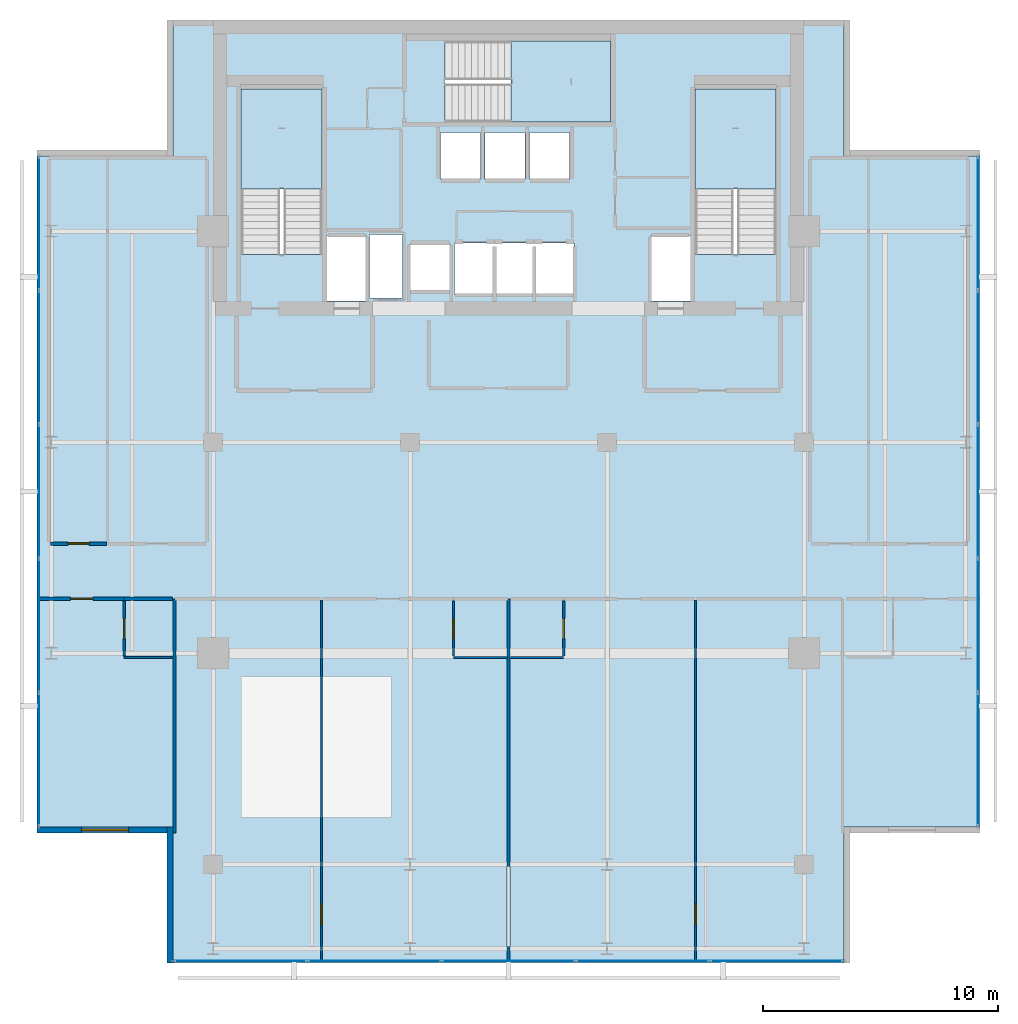
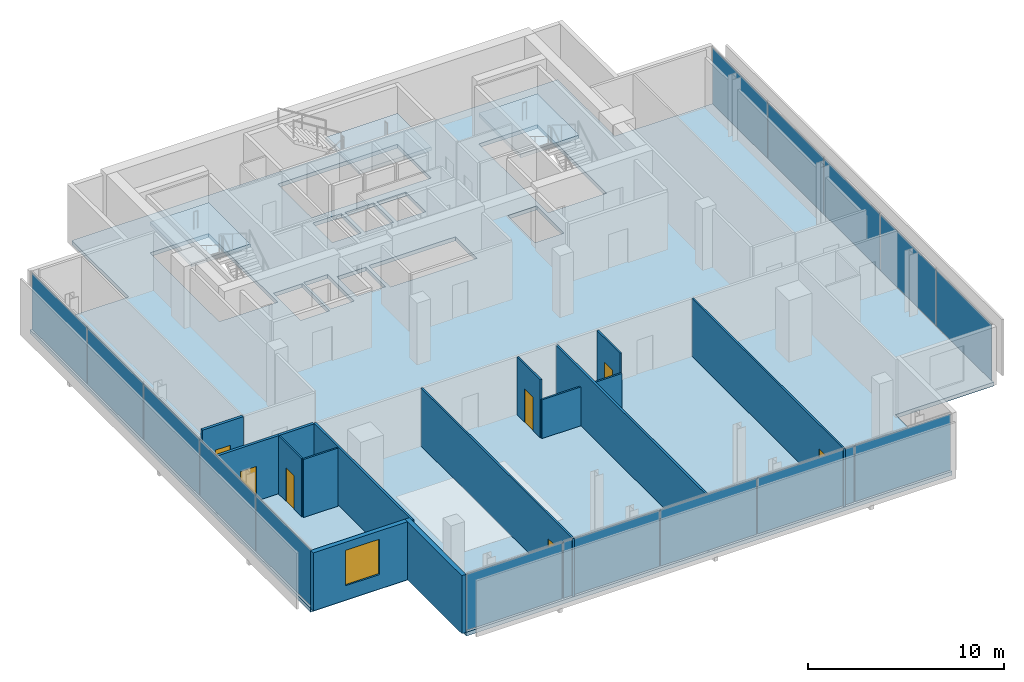
# One storey, part 16 of 23: 15 plates, 15 walls, 7 doors, 4 slabs, 1 window, 8 openings, 6 elements without a shape of their own.
"""IFC4 building model written with IfcOpenShell, lengths in metres."""

from ifc_helpers import new_model, si_unit, direction, frame, frame_2d, origin, origin_2d, place, context, subcontext, project, spatial, polyline, rectangle, outline, extrude, material, layer, layer_set, type_object, element, fill, aggregate, save


model = new_model("IFC4")

# Units and contexts
model_context = context("Model", 3, precision=1e-05, world=origin(), true_north=direction((0.0, 1.0)))
body_context = subcontext(model_context, "Body", "Model", "MODEL_VIEW")
ifc_project = project(units=[si_unit("LENGTHUNIT", "METRE"), si_unit("AREAUNIT", "SQUARE_METRE"), si_unit("VOLUMEUNIT", "CUBIC_METRE"), si_unit("PLANEANGLEUNIT", "RADIAN"), si_unit("MASSUNIT", "GRAM", prefix="KILO")], contexts=[model_context])

# Site, building, storey
site_placement = place(None, origin())
site = spatial("IfcSite", under=ifc_project, at=site_placement, CompositionType="ELEMENT")
building_placement = place(site_placement, origin())
building = spatial("IfcBuilding", under=site, at=building_placement, Name="Maruvema Waterfront Hotel and Observation Tower", CompositionType="ELEMENT")
storey_placement = place(building_placement, frame((0.0, 0.0, 341.25)))
storey = spatial("IfcBuildingStorey", under=building, at=storey_placement, Name="L84", CompositionType="ELEMENT", Elevation=341.25)

# Slab
ifc_material_1 = material(Name="Concrete C50/60", Category="concrete")
ifc_layer_1 = layer(ifc_material_1, 0.239990234375, Name="Reinforced Concrete Floor Slab 240 mm")
ifc_layer_set_1 = layer_set([ifc_layer_1], Name="Concrete C50/60")
slab_type_1 = type_object("IfcSlabType", Name="Reinforced Concrete Floor Slab 240 mm", PredefinedType="FLOOR", material=ifc_layer_set_1)
slab_1_placement = place(storey_placement, frame((0.0, 0.0, -0.239990234375)))
element("IfcSlab", 1, at=slab_1_placement, inside=storey, type_object=slab_type_1, Name="L84 Structural Floor Slab", PredefinedType="FLOOR", context=body_context, shape_type="SweptSolid", body=[
    extrude(outline(polyline([(23.5, 13.800048828125), (52.10009765625, 13.800048828125), (52.10009765625, 19.60009765625), (57.89990234375, 19.60009765625), (57.89990234375, 48.199951171875), (52.10009765625, 48.199951171875), (52.10009765625, 54.0), (23.5, 54.0), (23.5, 48.199951171875), (17.699951171875, 48.199951171875), (17.699951171875, 19.60009765625), (23.5, 19.60009765625), (23.5, 13.800048828125)]), holes=[polyline([(26.39990234375, 44.00048828125), (26.39990234375, 51.050048828125), (29.85009765625, 51.050048828125), (29.85009765625, 44.00048828125), (26.39990234375, 44.00048828125)]), polyline([(30.050048828125, 44.800048828125), (31.75, 44.800048828125), (31.75, 42.02001953125), (30.050048828125, 42.02001953125), (30.050048828125, 44.800048828125)]), polyline([(31.8798828125, 42.139892578125), (31.8798828125, 44.860107421875), (33.280029296875, 44.860107421875), (33.280029296875, 42.139892578125), (31.8798828125, 42.139892578125)]), polyline([(33.60009765625, 44.449951171875), (35.300048828125, 44.449951171875), (35.300048828125, 42.449951171875), (33.60009765625, 42.449951171875), (33.60009765625, 44.449951171875)]), polyline([(34.89990234375, 49.199951171875), (36.60009765625, 49.199951171875), (36.60009765625, 47.199951171875), (34.89990234375, 47.199951171875), (34.89990234375, 49.199951171875)]), polyline([(36.800048828125, 47.199951171875), (36.800048828125, 49.199951171875), (38.5, 49.199951171875), (38.5, 47.199951171875), (36.800048828125, 47.199951171875)]), polyline([(35.5, 42.300048828125), (35.5, 44.5), (40.60009765625, 44.5), (40.60009765625, 42.300048828125), (35.5, 42.300048828125)]), polyline([(35.1005859375, 53.10009765625), (42.14990234375, 53.10009765625), (42.14990234375, 49.64990234375), (35.1005859375, 49.64990234375), (35.1005859375, 53.10009765625)]), polyline([(38.699951171875, 49.199951171875), (40.39990234375, 49.199951171875), (40.39990234375, 47.199951171875), (38.699951171875, 47.199951171875), (38.699951171875, 49.199951171875)]), polyline([(43.85009765625, 44.800048828125), (45.550048828125, 44.800048828125), (45.550048828125, 42.02001953125), (43.85009765625, 42.02001953125), (43.85009765625, 44.800048828125)]), polyline([(45.75, 44.00048828125), (45.75, 51.050048828125), (49.199951171875, 51.050048828125), (49.199951171875, 44.00048828125), (45.75, 44.00048828125)])]), origin(), (0.0, 0.0, 1.0), 0.239990234375),
])

# Curtain wall, plates
ifc_material_2 = material(Name="Anodised bronze aluminium and solar-control low-E IGU", Category="aluminium")
ifc_layer_2 = layer(ifc_material_2, 0.159912109375, Name="Zone 4 Sky Residence Inner Curtain Wall System CW-05")
ifc_layer_set_2 = layer_set([ifc_layer_2], Name="Anodised bronze aluminium and solar-control low-E IGU")
curtain_wall_type = type_object("IfcCurtainWallType", Name="Zone 4 Sky Residence Inner Curtain Wall System CW-05", PredefinedType="USERDEFINED", material=ifc_layer_set_2)
curtain_wall_1_placement = place(storey_placement, origin())
curtain_wall_1 = element("IfcCurtainWall", 2, at=curtain_wall_1_placement, inside=storey, type_object=curtain_wall_type, Name="L84 Curtain Wall CW-L84-S", ObjectType="UNITISED CURTAIN WALL", PredefinedType="USERDEFINED")
ifc_material_3 = material(Name="Laminated low-E solar-control double glazing", Category="glass")
ifc_layer_3 = layer(ifc_material_3, 0.035888671875, Name="Solar Control Double-Glazed Curtain Panel 36 mm")
ifc_layer_set_3 = layer_set([ifc_layer_3], Name="Laminated low-E solar-control double glazing")
plate_type = type_object("IfcPlateType", Name="Solar Control Double-Glazed Curtain Panel 36 mm", PredefinedType="CURTAIN_PANEL", material=ifc_layer_set_3)
plate_1_placement = place(storey_placement, frame((26.375, 13.8798828125, 0.06005859375), z_axis=(0.0, 0.0, 1.0), x_axis=(1.0, 0.0, 0.0)))
plate_1 = element("IfcPlate", 3, at=plate_1_placement, type_object=plate_type, Name="CW-05 panel 1.1", PredefinedType="CURTAIN_PANEL", context=body_context, shape_type="SweptSolid", body=[
    extrude(rectangle(XDim=5.6298828125, YDim=0.028076171875, at=origin_2d()), origin(), (0.0, 0.0, 1.0), 3.489990234375),
])
plate_2_placement = place(storey_placement, frame((32.080078125, 13.8798828125, 0.06005859375), z_axis=(0.0, 0.0, 1.0), x_axis=(1.0, 0.0, 0.0)))
plate_2 = element("IfcPlate", 4, at=plate_2_placement, type_object=plate_type, Name="CW-05 panel 2.1", PredefinedType="CURTAIN_PANEL", context=body_context, shape_type="SweptSolid", body=[
    extrude(rectangle(XDim=5.659912109375, YDim=0.028076171875, at=origin_2d()), origin(), (0.0, 0.0, 1.0), 3.489990234375),
])
plate_3_placement = place(storey_placement, frame((37.800048828125, 13.8798828125, 0.06005859375), z_axis=(0.0, 0.0, 1.0), x_axis=(1.0, 0.0, 0.0)))
plate_3 = element("IfcPlate", 5, at=plate_3_placement, type_object=plate_type, Name="CW-05 panel 3.1", PredefinedType="CURTAIN_PANEL", context=body_context, shape_type="SweptSolid", body=[
    extrude(rectangle(XDim=5.659912109375, YDim=0.028076171875, at=origin_2d()), origin(), (0.0, 0.0, 1.0), 3.489990234375),
])
plate_4_placement = place(storey_placement, frame((43.52001953125, 13.8798828125, 0.06005859375), z_axis=(0.0, 0.0, 1.0), x_axis=(1.0, 0.0, 0.0)))
plate_4 = element("IfcPlate", 6, at=plate_4_placement, type_object=plate_type, Name="CW-05 panel 4.1", PredefinedType="CURTAIN_PANEL", context=body_context, shape_type="SweptSolid", body=[
    extrude(rectangle(XDim=5.659912109375, YDim=0.028076171875, at=origin_2d()), origin(), (0.0, 0.0, 1.0), 3.489990234375),
])
plate_5_placement = place(storey_placement, frame((49.22509765625, 13.8798828125, 0.06005859375), z_axis=(0.0, 0.0, 1.0), x_axis=(1.0, 0.0, 0.0)))
plate_5 = element("IfcPlate", 7, at=plate_5_placement, type_object=plate_type, Name="CW-05 panel 5.1", PredefinedType="CURTAIN_PANEL", context=body_context, shape_type="SweptSolid", body=[
    extrude(rectangle(XDim=5.6298828125, YDim=0.028076171875, at=origin_2d()), origin(), (0.0, 0.0, 1.0), 3.489990234375),
])
aggregate(curtain_wall_1, [plate_1, plate_2, plate_3, plate_4, plate_5])

curtain_wall_2_placement = place(storey_placement, origin())
curtain_wall_2 = element("IfcCurtainWall", 8, at=curtain_wall_2_placement, inside=storey, type_object=curtain_wall_type, Name="L84 Curtain Wall CW-L84-E", ObjectType="UNITISED CURTAIN WALL", PredefinedType="USERDEFINED")
plate_6_placement = place(storey_placement, frame((57.820068359375, 22.47509765625, 0.06005859375), z_axis=(0.0, 0.0, 1.0), x_axis=(0.0, 1.0, 0.0)))
plate_6 = element("IfcPlate", 9, at=plate_6_placement, type_object=plate_type, Name="CW-05 panel 1.1", PredefinedType="CURTAIN_PANEL", context=body_context, shape_type="SweptSolid", body=[
    extrude(rectangle(XDim=5.6298828125, YDim=0.028076171875, at=origin_2d()), origin(), (0.0, 0.0, 1.0), 3.489990234375),
])
plate_7_placement = place(storey_placement, frame((57.820068359375, 28.179931640625, 0.06005859375), z_axis=(0.0, 0.0, 1.0), x_axis=(0.0, 1.0, 0.0)))
plate_7 = element("IfcPlate", 10, at=plate_7_placement, type_object=plate_type, Name="CW-05 panel 2.1", PredefinedType="CURTAIN_PANEL", context=body_context, shape_type="SweptSolid", body=[
    extrude(rectangle(XDim=5.659912109375, YDim=0.028076171875, at=origin_2d()), origin(), (0.0, 0.0, 1.0), 3.489990234375),
])
plate_8_placement = place(storey_placement, frame((57.820068359375, 33.89990234375, 0.06005859375), z_axis=(0.0, 0.0, 1.0), x_axis=(0.0, 1.0, 0.0)))
plate_8 = element("IfcPlate", 11, at=plate_8_placement, type_object=plate_type, Name="CW-05 panel 3.1", PredefinedType="CURTAIN_PANEL", context=body_context, shape_type="SweptSolid", body=[
    extrude(rectangle(XDim=5.659912109375, YDim=0.028076171875, at=origin_2d()), origin(), (0.0, 0.0, 1.0), 3.489990234375),
])
plate_9_placement = place(storey_placement, frame((57.820068359375, 39.6201171875, 0.06005859375), z_axis=(0.0, 0.0, 1.0), x_axis=(0.0, 1.0, 0.0)))
plate_9 = element("IfcPlate", 12, at=plate_9_placement, type_object=plate_type, Name="CW-05 panel 4.1", PredefinedType="CURTAIN_PANEL", context=body_context, shape_type="SweptSolid", body=[
    extrude(rectangle(XDim=5.659912109375, YDim=0.028076171875, at=origin_2d()), origin(), (0.0, 0.0, 1.0), 3.489990234375),
])
plate_10_placement = place(storey_placement, frame((57.820068359375, 45.324951171875, 0.06005859375), z_axis=(0.0, 0.0, 1.0), x_axis=(0.0, 1.0, 0.0)))
plate_10 = element("IfcPlate", 13, at=plate_10_placement, type_object=plate_type, Name="CW-05 panel 5.1", PredefinedType="CURTAIN_PANEL", context=body_context, shape_type="SweptSolid", body=[
    extrude(rectangle(XDim=5.6298828125, YDim=0.028076171875, at=origin_2d()), origin(), (0.0, 0.0, 1.0), 3.489990234375),
])
aggregate(curtain_wall_2, [plate_6, plate_7, plate_8, plate_9, plate_10])

curtain_wall_3_placement = place(storey_placement, origin())
curtain_wall_3 = element("IfcCurtainWall", 14, at=curtain_wall_3_placement, inside=storey, type_object=curtain_wall_type, Name="L84 Curtain Wall CW-L84-W", ObjectType="UNITISED CURTAIN WALL", PredefinedType="USERDEFINED")
plate_11_placement = place(storey_placement, frame((17.780029296875, 45.324951171875, 0.06005859375), z_axis=(0.0, 0.0, 1.0), x_axis=(0.0, -1.0, 0.0)))
plate_11 = element("IfcPlate", 15, at=plate_11_placement, type_object=plate_type, Name="CW-05 panel 1.1", PredefinedType="CURTAIN_PANEL", context=body_context, shape_type="SweptSolid", body=[
    extrude(rectangle(XDim=5.6298828125, YDim=0.028076171875, at=origin_2d()), origin(), (0.0, 0.0, 1.0), 3.489990234375),
])
plate_12_placement = place(storey_placement, frame((17.780029296875, 39.6201171875, 0.06005859375), z_axis=(0.0, 0.0, 1.0), x_axis=(0.0, -1.0, 0.0)))
plate_12 = element("IfcPlate", 16, at=plate_12_placement, type_object=plate_type, Name="CW-05 panel 2.1", PredefinedType="CURTAIN_PANEL", context=body_context, shape_type="SweptSolid", body=[
    extrude(rectangle(XDim=5.659912109375, YDim=0.028076171875, at=origin_2d()), origin(), (0.0, 0.0, 1.0), 3.489990234375),
])
plate_13_placement = place(storey_placement, frame((17.780029296875, 33.89990234375, 0.06005859375), z_axis=(0.0, 0.0, 1.0), x_axis=(0.0, -1.0, 0.0)))
plate_13 = element("IfcPlate", 17, at=plate_13_placement, type_object=plate_type, Name="CW-05 panel 3.1", PredefinedType="CURTAIN_PANEL", context=body_context, shape_type="SweptSolid", body=[
    extrude(rectangle(XDim=5.659912109375, YDim=0.028076171875, at=origin_2d()), origin(), (0.0, 0.0, 1.0), 3.489990234375),
])
plate_14_placement = place(storey_placement, frame((17.780029296875, 28.179931640625, 0.06005859375), z_axis=(0.0, 0.0, 1.0), x_axis=(0.0, -1.0, 0.0)))
plate_14 = element("IfcPlate", 18, at=plate_14_placement, type_object=plate_type, Name="CW-05 panel 4.1", PredefinedType="CURTAIN_PANEL", context=body_context, shape_type="SweptSolid", body=[
    extrude(rectangle(XDim=5.659912109375, YDim=0.028076171875, at=origin_2d()), origin(), (0.0, 0.0, 1.0), 3.489990234375),
])
plate_15_placement = place(storey_placement, frame((17.780029296875, 22.47509765625, 0.06005859375), z_axis=(0.0, 0.0, 1.0), x_axis=(0.0, -1.0, 0.0)))
plate_15 = element("IfcPlate", 19, at=plate_15_placement, type_object=plate_type, Name="CW-05 panel 5.1", PredefinedType="CURTAIN_PANEL", context=body_context, shape_type="SweptSolid", body=[
    extrude(rectangle(XDim=5.6298828125, YDim=0.028076171875, at=origin_2d()), origin(), (0.0, 0.0, 1.0), 3.489990234375),
])
aggregate(curtain_wall_3, [plate_11, plate_12, plate_13, plate_14, plate_15])

# Stair, slab
ifc_material_4 = material(Name="Concrete C50/60", Category="concrete")
stair_type = type_object("IfcStairType", Name="Dogleg Exit Stair 1650 mm (22R x 175.0 mm)", PredefinedType="HALF_TURN_STAIR", material=ifc_material_4)
stair_1_placement = place(storey_placement, origin())
stair_1 = element("IfcStair", 20, at=stair_1_placement, inside=storey, type_object=stair_type, Name="L84 ST-01", PredefinedType="HALF_TURN_STAIR")
ifc_material_5 = material(Name="Concrete C50/60", Category="concrete")
ifc_layer_4 = layer(ifc_material_5, 0.219970703125, Name="Stair Concrete Landing Slab 220 mm")
ifc_layer_set_4 = layer_set([ifc_layer_4], Name="Concrete C50/60")
slab_type_2 = type_object("IfcSlabType", Name="Stair Concrete Landing Slab 220 mm", PredefinedType="LANDING", material=ifc_layer_set_4)
slab_2_placement = place(storey_placement, frame((0.0, 0.0, 1.705078125)))
slab_2 = element("IfcSlab", 21, at=slab_2_placement, type_object=slab_type_2, Name="ST-01 landing 1", PredefinedType="LANDING", context=body_context, shape_type="SweptSolid", body=[
    extrude(outline(polyline([(29.85009765625, 46.800048828125), (29.85009765625, 51.050048828125), (26.39990234375, 51.050048828125), (26.39990234375, 46.800048828125), (29.85009765625, 46.800048828125)])), origin(), (0.0, 0.0, 1.0), 0.219970703125),
])
aggregate(stair_1, [slab_2])

stair_2_placement = place(storey_placement, origin())
stair_2 = element("IfcStair", 22, at=stair_2_placement, inside=storey, type_object=stair_type, Name="L84 ST-02", PredefinedType="HALF_TURN_STAIR")
slab_3_placement = place(storey_placement, frame((0.0, 0.0, 1.705078125)))
slab_3 = element("IfcSlab", 23, at=slab_3_placement, type_object=slab_type_2, Name="ST-02 landing 1", PredefinedType="LANDING", context=body_context, shape_type="SweptSolid", body=[
    extrude(outline(polyline([(37.89990234375, 49.64990234375), (42.14990234375, 49.64990234375), (42.14990234375, 53.10009765625), (37.89990234375, 53.10009765625), (37.89990234375, 49.64990234375)])), origin(), (0.0, 0.0, 1.0), 0.219970703125),
])
aggregate(stair_2, [slab_3])

stair_3_placement = place(storey_placement, origin())
stair_3 = element("IfcStair", 24, at=stair_3_placement, inside=storey, type_object=stair_type, Name="L84 ST-03", PredefinedType="HALF_TURN_STAIR")
slab_4_placement = place(storey_placement, frame((0.0, 0.0, 1.705078125)))
slab_4 = element("IfcSlab", 25, at=slab_4_placement, type_object=slab_type_2, Name="ST-03 landing 1", PredefinedType="LANDING", context=body_context, shape_type="SweptSolid", body=[
    extrude(outline(polyline([(49.199951171875, 46.800048828125), (49.199951171875, 51.050048828125), (45.75, 51.050048828125), (45.75, 46.800048828125), (49.199951171875, 46.800048828125)])), origin(), (0.0, 0.0, 1.0), 0.219970703125),
])
aggregate(stair_3, [slab_4])

# Wall, opening, door
ifc_material_6 = material(Name="Twin-stud acoustic gypsum drywall", Category="gypsum")
ifc_layer_5 = layer(ifc_material_6, 0.14990234375, Name="Acoustic Corridor and Suite Demising Wall 150 mm")
ifc_layer_set_5 = layer_set([ifc_layer_5], Name="Twin-stud acoustic gypsum drywall")
wall_type_1 = type_object("IfcWallType", Name="Acoustic Corridor and Suite Demising Wall 150 mm", PredefinedType="PARTITIONING", material=ifc_layer_set_5)
wall_1_placement = place(storey_placement, frame((18.260009765625, 31.679931640625, 0.0), z_axis=(0.0, 0.0, 1.0), x_axis=(1.0, 0.0, 0.0)))
wall_1 = element("IfcWall", 26, at=wall_1_placement, inside=storey, type_object=wall_type_1, Name="L84 L84-Z4W Front 1 028", PredefinedType="PARTITIONING", context=body_context, shape_type="SweptSolid", body=[
    extrude(rectangle(XDim=2.407470703125, YDim=0.14990234375, at=frame_2d((1.20361328125, 0.0))), origin(), (0.0, 0.0, 1.0), 3.610107421875),
])
opening_1_placement = place(wall_1_placement, frame((0.753662109375, 0.0, 0.0)))
opening_1 = element("IfcOpeningElement", 27, at=opening_1_placement, cuts=wall_1, Name="Opening DR-090", PredefinedType="OPENING", context=body_context, shape_type="SweptSolid", body=[
    extrude(rectangle(XDim=0.89990234375, YDim=2.10009765625, at=frame_2d((0.449951171875, 1.050048828125))), frame((0.0, 0.0849609375, 0.0), z_axis=(0.0, -1.0, 0.0), x_axis=(1.0, 0.0, 0.0)), (0.0, 0.0, 1.0), 0.169921875),
])
ifc_material_7 = material(Name="Solid-core lacquered timber leaf", Category="wood")
door_type_1 = type_object("IfcDoorType", Name="Accessible Toilet and Room Door 900x2100 mm", OperationType="NOTDEFINED", PredefinedType="DOOR", material=ifc_material_7)
door_1_placement = place(opening_1_placement, frame((0.89990234375, 0.0, 0.0), z_axis=(0.0, 0.0, 1.0), x_axis=(-1.0, 0.0, 0.0)))
door_1 = element("IfcDoor", 28, at=door_1_placement, inside=storey, type_object=door_type_1, Name="L84 Presidential Show Kitchen Door", OperationType="SINGLE_SWING_RIGHT", OverallHeight=2.10009765625, OverallWidth=0.89990234375, PredefinedType="DOOR", context=body_context, shape_type="SweptSolid", body=[
    extrude(rectangle(XDim=0.89990234375, YDim=2.10009765625, at=frame_2d((0.449951171875, 1.050048828125))), frame((0.0, 0.02490234375, 0.0), z_axis=(0.0, -1.0, 0.0), x_axis=(1.0, 0.0, 0.0)), (0.0, 0.0, 1.0), 0.050048828125),
])
fill(opening_1, door_1)

# Wall
wall_2_placement = place(storey_placement, frame((21.409912109375, 29.320068359375, 0.0), z_axis=(0.0, 0.0, 1.0), x_axis=(1.0, 0.0, 0.0)))
element("IfcWall", 29, at=wall_2_placement, inside=storey, type_object=wall_type_1, Name="L84 Bath L84-SKW Back Wall 052", PredefinedType="PARTITIONING", context=body_context, shape_type="SweptSolid", body=[
    extrude(rectangle(XDim=2.06005859375, YDim=0.14990234375, at=frame_2d((1.030029296875, 0.0))), origin(), (0.0, 0.0, 1.0), 3.610107421875),
])

# Wall, opening, door
wall_3_placement = place(storey_placement, frame((17.7900390625, 29.320068359375, 0.0), z_axis=(0.0, 0.0, 1.0), x_axis=(1.0, 0.0, 0.0)))
wall_3 = element("IfcWall", 30, at=wall_3_placement, inside=storey, type_object=wall_type_1, Name="L84 Unit L84-SKW Corridor Wall 055", PredefinedType="PARTITIONING", context=body_context, shape_type="SweptSolid", body=[
    extrude(rectangle(XDim=3.619873046875, YDim=0.14990234375, at=frame_2d((1.81005859375, 0.0))), origin(), (0.0, 0.0, 1.0), 3.610107421875),
])
opening_2_placement = place(wall_3_placement, frame((1.3349609375, 0.0, 0.0)))
opening_2 = element("IfcOpeningElement", 31, at=opening_2_placement, cuts=wall_3, Name="Opening DR-095", PredefinedType="OPENING", context=body_context, shape_type="SweptSolid", body=[
    extrude(rectangle(XDim=0.949951171875, YDim=2.14990234375, at=frame_2d((0.47509765625, 1.074951171875))), frame((0.0, 0.0849609375, 0.0), z_axis=(0.0, -1.0, 0.0), x_axis=(1.0, 0.0, 0.0)), (0.0, 0.0, 1.0), 0.169921875),
])
ifc_material_8 = material(Name="Acoustic solid-core hardwood timber leaf", Category="wood")
door_type_2 = type_object("IfcDoorType", Name="Guestroom Entrance Fire Door 950x2150 mm", OperationType="NOTDEFINED", PredefinedType="DOOR", material=ifc_material_8)
door_2_placement = place(opening_2_placement, frame((0.949951171875, 0.0, 0.0), z_axis=(0.0, 0.0, 1.0), x_axis=(-1.0, 0.0, 0.0)))
door_2 = element("IfcDoor", 32, at=door_2_placement, inside=storey, type_object=door_type_2, Name="L84 Unit L84-SKW Entrance Door", OperationType="SINGLE_SWING_LEFT", OverallHeight=2.14990234375, OverallWidth=0.949951171875, PredefinedType="DOOR", context=body_context, shape_type="SweptSolid", body=[
    extrude(rectangle(XDim=0.949951171875, YDim=2.14990234375, at=frame_2d((0.47509765625, 1.074951171875))), frame((0.0, 0.02490234375, 0.0), z_axis=(0.0, -1.0, 0.0), x_axis=(1.0, 0.0, 0.0)), (0.0, 0.0, 1.0), 0.050048828125),
])
fill(opening_2, door_2)

# Wall
ifc_material_9 = material(Name="Moisture-resistant cement-board drywall", Category="gypsum")
ifc_layer_6 = layer(ifc_material_9, 0.10009765625, Name="En-Suite Moisture-Resistant Partition 100 mm")
ifc_layer_set_6 = layer_set([ifc_layer_6], Name="Moisture-resistant cement-board drywall")
wall_type_2 = type_object("IfcWallType", Name="En-Suite Moisture-Resistant Partition 100 mm", PredefinedType="PARTITIONING", material=ifc_layer_set_6)
wall_4_placement = place(storey_placement, frame((35.449951171875, 26.820068359375, 0.0), z_axis=(0.0, 0.0, 1.0), x_axis=(1.0, 0.0, 0.0)))
element("IfcWall", 33, at=wall_4_placement, inside=storey, type_object=wall_type_2, Name="L84 En-Suite L84-SK1 South 040", PredefinedType="PARTITIONING", context=body_context, shape_type="SweptSolid", body=[
    extrude(rectangle(XDim=2.31005859375, YDim=0.10009765625, at=frame_2d((1.155029296875, 0.0))), origin(), (0.0, 0.0, 1.0), 2.409912109375),
])

# Wall, opening, door
wall_5_placement = place(storey_placement, frame((35.449951171875, 26.8798828125, 0.0), z_axis=(0.0, 0.0, 1.0), x_axis=(0.0, 1.0, 0.0)))
wall_5 = element("IfcWall", 34, at=wall_5_placement, inside=storey, type_object=wall_type_2, Name="L84 En-Suite L84-SK1 West 041", PredefinedType="PARTITIONING", context=body_context, shape_type="SweptSolid", body=[
    extrude(rectangle(XDim=2.340087890625, YDim=0.10009765625, at=frame_2d((1.169921875, 0.0))), origin(), (0.0, 0.0, 1.0), 3.610107421875),
])
opening_3_placement = place(wall_5_placement, frame((0.7451171875, 0.0, 0.0)))
opening_3 = element("IfcOpeningElement", 35, at=opening_3_placement, cuts=wall_5, Name="Opening DR-085", PredefinedType="OPENING", context=body_context, shape_type="SweptSolid", body=[
    extrude(rectangle(XDim=0.85009765625, YDim=2.10009765625, at=frame_2d((0.425048828125, 1.050048828125))), frame((0.0, 0.06005859375, 0.0), z_axis=(0.0, -1.0, 0.0), x_axis=(1.0, 0.0, 0.0)), (0.0, 0.0, 1.0), 0.1201171875),
])
ifc_material_10 = material(Name="Moisture-resistant solid timber leaf", Category="wood")
door_type_3 = type_object("IfcDoorType", Name="En-Suite Bathroom Door 850x2100 mm", OperationType="NOTDEFINED", PredefinedType="DOOR", material=ifc_material_10)
door_3_placement = place(opening_3_placement, origin())
door_3 = element("IfcDoor", 36, at=door_3_placement, inside=storey, type_object=door_type_3, Name="L84 En-Suite L84-SK1 Door", OperationType="SINGLE_SWING_RIGHT", OverallHeight=2.10009765625, OverallWidth=0.85009765625, PredefinedType="DOOR", context=body_context, shape_type="SweptSolid", body=[
    extrude(rectangle(XDim=0.85009765625, YDim=2.10009765625, at=frame_2d((0.425048828125, 1.050048828125))), frame((0.0, 0.02490234375, 0.0), z_axis=(0.0, -1.0, 0.0), x_axis=(1.0, 0.0, 0.0)), (0.0, 0.0, 1.0), 0.050048828125),
])
fill(opening_3, door_3)

wall_6_placement = place(storey_placement, frame((29.826904296875, 13.830078125, 0.0), z_axis=(0.0, 0.0, 1.0), x_axis=(0.0, 1.0, 0.0)))
wall_6 = element("IfcWall", 37, at=wall_6_placement, inside=storey, type_object=wall_type_2, Name="L84 Suite L84-SK1 Split 044", PredefinedType="PARTITIONING", context=body_context, shape_type="SweptSolid", body=[
    extrude(rectangle(XDim=15.429931640625, YDim=0.10009765625, at=frame_2d((7.71484375, 0.0))), origin(), (0.0, 0.0, 1.0), 3.610107421875),
])
opening_4_placement = place(wall_6_placement, frame((1.60009765625, 0.0, 0.0)))
opening_4 = element("IfcOpeningElement", 38, at=opening_4_placement, cuts=wall_6, Name="Opening DR-090", PredefinedType="OPENING", context=body_context, shape_type="SweptSolid", body=[
    extrude(rectangle(XDim=0.89990234375, YDim=2.10009765625, at=frame_2d((0.449951171875, 1.050048828125))), frame((0.0, 0.06005859375, 0.0), z_axis=(0.0, -1.0, 0.0), x_axis=(1.0, 0.0, 0.0)), (0.0, 0.0, 1.0), 0.1201171875),
])
door_4_placement = place(opening_4_placement, frame((0.89990234375, 0.0, 0.0), z_axis=(0.0, 0.0, 1.0), x_axis=(-1.0, 0.0, 0.0)))
door_4 = element("IfcDoor", 39, at=door_4_placement, inside=storey, type_object=door_type_1, Name="L84 Suite L84-SK1 Bedroom Door", OperationType="SINGLE_SWING_RIGHT", OverallHeight=2.10009765625, OverallWidth=0.89990234375, PredefinedType="DOOR", context=body_context, shape_type="SweptSolid", body=[
    extrude(rectangle(XDim=0.89990234375, YDim=2.10009765625, at=frame_2d((0.449951171875, 1.050048828125))), frame((0.0, 0.02490234375, 0.0), z_axis=(0.0, -1.0, 0.0), x_axis=(1.0, 0.0, 0.0)), (0.0, 0.0, 1.0), 0.050048828125),
])
fill(opening_4, door_4)

# Wall
wall_7_placement = place(storey_placement, frame((37.8798828125, 26.820068359375, 0.0), z_axis=(0.0, 0.0, 1.0), x_axis=(1.0, 0.0, 0.0)))
element("IfcWall", 40, at=wall_7_placement, inside=storey, type_object=wall_type_2, Name="L84 En-Suite L84-SK2 South 047", PredefinedType="PARTITIONING", context=body_context, shape_type="SweptSolid", body=[
    extrude(rectangle(XDim=2.27001953125, YDim=0.10009765625, at=frame_2d((1.135009765625, 0.0))), origin(), (0.0, 0.0, 1.0), 2.409912109375),
])

# Wall, opening, door
wall_8_placement = place(storey_placement, frame((40.14990234375, 26.8798828125, 0.0), z_axis=(0.0, 0.0, 1.0), x_axis=(0.0, 1.0, 0.0)))
wall_8 = element("IfcWall", 41, at=wall_8_placement, inside=storey, type_object=wall_type_2, Name="L84 En-Suite L84-SK2 East 048", PredefinedType="PARTITIONING", context=body_context, shape_type="SweptSolid", body=[
    extrude(rectangle(XDim=2.340087890625, YDim=0.10009765625, at=frame_2d((1.169921875, 0.0))), origin(), (0.0, 0.0, 1.0), 3.610107421875),
])
opening_5_placement = place(wall_8_placement, frame((0.7451171875, 0.0, 0.0)))
opening_5 = element("IfcOpeningElement", 42, at=opening_5_placement, cuts=wall_8, Name="Opening DR-085", PredefinedType="OPENING", context=body_context, shape_type="SweptSolid", body=[
    extrude(rectangle(XDim=0.85009765625, YDim=2.10009765625, at=frame_2d((0.425048828125, 1.050048828125))), frame((0.0, 0.06005859375, 0.0), z_axis=(0.0, -1.0, 0.0), x_axis=(1.0, 0.0, 0.0)), (0.0, 0.0, 1.0), 0.1201171875),
])
door_5_placement = place(opening_5_placement, frame((0.85009765625, 0.0, 0.0), z_axis=(0.0, 0.0, 1.0), x_axis=(-1.0, 0.0, 0.0)))
door_5 = element("IfcDoor", 43, at=door_5_placement, inside=storey, type_object=door_type_3, Name="L84 En-Suite L84-SK2 Door", OperationType="SINGLE_SWING_LEFT", OverallHeight=2.10009765625, OverallWidth=0.85009765625, PredefinedType="DOOR", context=body_context, shape_type="SweptSolid", body=[
    extrude(rectangle(XDim=0.85009765625, YDim=2.10009765625, at=frame_2d((0.425048828125, 1.050048828125))), frame((0.0, 0.02490234375, 0.0), z_axis=(0.0, -1.0, 0.0), x_axis=(1.0, 0.0, 0.0)), (0.0, 0.0, 1.0), 0.050048828125),
])
fill(opening_5, door_5)

wall_9_placement = place(storey_placement, frame((45.77294921875, 13.830078125, 0.0), z_axis=(0.0, 0.0, 1.0), x_axis=(0.0, 1.0, 0.0)))
wall_9 = element("IfcWall", 44, at=wall_9_placement, inside=storey, type_object=wall_type_2, Name="L84 Suite L84-SK2 Split 051", PredefinedType="PARTITIONING", context=body_context, shape_type="SweptSolid", body=[
    extrude(rectangle(XDim=15.429931640625, YDim=0.10009765625, at=frame_2d((7.71484375, 0.0))), origin(), (0.0, 0.0, 1.0), 3.610107421875),
])
opening_6_placement = place(wall_9_placement, frame((1.60009765625, 0.0, 0.0)))
opening_6 = element("IfcOpeningElement", 45, at=opening_6_placement, cuts=wall_9, Name="Opening DR-090", PredefinedType="OPENING", context=body_context, shape_type="SweptSolid", body=[
    extrude(rectangle(XDim=0.89990234375, YDim=2.10009765625, at=frame_2d((0.449951171875, 1.050048828125))), frame((0.0, 0.06005859375, 0.0), z_axis=(0.0, -1.0, 0.0), x_axis=(1.0, 0.0, 0.0)), (0.0, 0.0, 1.0), 0.1201171875),
])
door_6_placement = place(opening_6_placement, origin())
door_6 = element("IfcDoor", 46, at=door_6_placement, inside=storey, type_object=door_type_1, Name="L84 Suite L84-SK2 Bedroom Door", OperationType="SINGLE_SWING_LEFT", OverallHeight=2.10009765625, OverallWidth=0.89990234375, PredefinedType="DOOR", context=body_context, shape_type="SweptSolid", body=[
    extrude(rectangle(XDim=0.89990234375, YDim=2.10009765625, at=frame_2d((0.449951171875, 1.050048828125))), frame((0.0, 0.02490234375, 0.0), z_axis=(0.0, -1.0, 0.0), x_axis=(1.0, 0.0, 0.0)), (0.0, 0.0, 1.0), 0.050048828125),
])
fill(opening_6, door_6)

# Wall
wall_10_placement = place(storey_placement, frame((21.409912109375, 26.820068359375, 0.0), z_axis=(0.0, 0.0, 1.0), x_axis=(1.0, 0.0, 0.0)))
element("IfcWall", 47, at=wall_10_placement, inside=storey, type_object=wall_type_2, Name="L84 En-Suite L84-SKW South 053", PredefinedType="PARTITIONING", context=body_context, shape_type="SweptSolid", body=[
    extrude(rectangle(XDim=2.0400390625, YDim=0.10009765625, at=frame_2d((1.02001953125, 0.0))), origin(), (0.0, 0.0, 1.0), 3.610107421875),
])

# Wall, opening, door
wall_11_placement = place(storey_placement, frame((21.409912109375, 26.8798828125, 0.0), z_axis=(0.0, 0.0, 1.0), x_axis=(0.0, 1.0, 0.0)))
wall_11 = element("IfcWall", 48, at=wall_11_placement, inside=storey, type_object=wall_type_2, Name="L84 En-Suite L84-SKW West 054", PredefinedType="PARTITIONING", context=body_context, shape_type="SweptSolid", body=[
    extrude(rectangle(XDim=2.340087890625, YDim=0.10009765625, at=frame_2d((1.169921875, 0.0))), origin(), (0.0, 0.0, 1.0), 3.610107421875),
])
opening_7_placement = place(wall_11_placement, frame((0.7451171875, 0.0, 0.0)))
opening_7 = element("IfcOpeningElement", 49, at=opening_7_placement, cuts=wall_11, Name="Opening DR-085", PredefinedType="OPENING", context=body_context, shape_type="SweptSolid", body=[
    extrude(rectangle(XDim=0.85009765625, YDim=2.10009765625, at=frame_2d((0.425048828125, 1.050048828125))), frame((0.0, 0.06005859375, 0.0), z_axis=(0.0, -1.0, 0.0), x_axis=(1.0, 0.0, 0.0)), (0.0, 0.0, 1.0), 0.1201171875),
])
door_7_placement = place(opening_7_placement, origin())
door_7 = element("IfcDoor", 50, at=door_7_placement, inside=storey, type_object=door_type_3, Name="L84 En-Suite L84-SKW Door", OperationType="SINGLE_SWING_RIGHT", OverallHeight=2.10009765625, OverallWidth=0.85009765625, PredefinedType="DOOR", context=body_context, shape_type="SweptSolid", body=[
    extrude(rectangle(XDim=0.85009765625, YDim=2.10009765625, at=frame_2d((0.425048828125, 1.050048828125))), frame((0.0, 0.02490234375, 0.0), z_axis=(0.0, -1.0, 0.0), x_axis=(1.0, 0.0, 0.0)), (0.0, 0.0, 1.0), 0.050048828125),
])
fill(opening_7, door_7)

# Wall
ifc_material_11 = material(Name="Precast concrete C45/55 with honed Pernambuco granite facing", Category="masonry")
ifc_layer_7 = layer(ifc_material_11, 0.260009765625, Name="Exterior Granite Clad Spandrel and Pier Wall 260 mm")
ifc_layer_set_7 = layer_set([ifc_layer_7], Name="Precast concrete C45/55 with honed Pernambuco granite facing")
wall_type_3 = type_object("IfcWallType", Name="Exterior Granite Clad Spandrel and Pier Wall 260 mm", PredefinedType="SOLIDWALL", material=ifc_layer_set_7)
wall_12_placement = place(storey_placement, frame((23.3701171875, 13.800048828125, 0.0), z_axis=(0.0, 0.0, 1.0), x_axis=(0.0, 1.0, 0.0)))
element("IfcWall", 51, at=wall_12_placement, inside=storey, type_object=wall_type_3, Name="L84 Corner Notch Granite Pier Wall SW1", PredefinedType="SOLIDWALL", context=body_context, shape_type="SweptSolid", body=[
    extrude(rectangle(XDim=5.800048828125, YDim=0.260009765625, at=frame_2d((2.89990234375, 0.0))), origin(), (0.0, 0.0, 1.0), 3.610107421875),
])

# Wall, opening, window
wall_13_placement = place(storey_placement, frame((23.5, 19.469970703125, 0.0), z_axis=(0.0, 0.0, 1.0), x_axis=(-1.0, 0.0, 0.0)))
wall_13 = element("IfcWall", 52, at=wall_13_placement, inside=storey, type_object=wall_type_3, Name="L84 Corner Notch Granite Pier Wall SW2", PredefinedType="SOLIDWALL", context=body_context, shape_type="SweptSolid", body=[
    extrude(rectangle(XDim=5.800048828125, YDim=0.260009765625, at=frame_2d((2.89990234375, 0.0))), origin(), (0.0, 0.0, 1.0), 3.610107421875),
])
opening_8_placement = place(wall_13_placement, frame((1.89990234375, 0.0, 0.89990234375)))
opening_8 = element("IfcOpeningElement", 53, at=opening_8_placement, cuts=wall_13, Name="Opening WN-03", PredefinedType="OPENING", context=body_context, shape_type="SweptSolid", body=[
    extrude(rectangle(XDim=2.0, YDim=2.199951171875, at=frame_2d((1.0, 1.10009765625))), frame((0.0, 0.14013671875, 0.0), z_axis=(0.0, -1.0, 0.0), x_axis=(1.0, 0.0, 0.0)), (0.0, 0.0, 1.0), 0.280029296875),
])
ifc_material_12 = material(Name="Anodised bronze aluminium frame with laminated low-E glass", Category="aluminium")
window_type = type_object("IfcWindowType", Name="Sky Suite Panoramic Notch Window 2000x2200 mm", PartitioningType="SINGLE_PANEL", PredefinedType="WINDOW", material=ifc_material_12)
window_placement = place(opening_8_placement, origin())
window = element("IfcWindow", 54, at=window_placement, inside=storey, type_object=window_type, Name="L84 Corner Notch Punched Window SW2", OverallHeight=2.199951171875, OverallWidth=2.0, PartitioningType="SINGLE_PANEL", PredefinedType="WINDOW", context=body_context, shape_type="SweptSolid", body=[
    extrude(rectangle(XDim=2.0, YDim=2.199951171875, at=frame_2d((1.0, 1.10009765625))), frame((0.0, 0.030029296875, 0.0), z_axis=(0.0, -1.0, 0.0), x_axis=(1.0, 0.0, 0.0)), (0.0, 0.0, 1.0), 0.06005859375),
])
fill(opening_8, window)

# Walls
ifc_material_13 = material(Name="Acoustic gypsum plasterboard drywall", Category="gypsum")
ifc_layer_8 = layer(ifc_material_13, 0.125, Name="Guestroom Acoustic Demising Wall 125 mm")
ifc_layer_set_8 = layer_set([ifc_layer_8], Name="Acoustic gypsum plasterboard drywall")
wall_type_4 = type_object("IfcWallType", Name="Guestroom Acoustic Demising Wall 125 mm", PredefinedType="PARTITIONING", material=ifc_layer_set_8)
wall_14_placement = place(storey_placement, frame((23.5625, 19.340087890625, 0.0), z_axis=(0.0, 0.0, 1.0), x_axis=(0.0, 1.0, 0.0)))
element("IfcWall", 55, at=wall_14_placement, inside=storey, type_object=wall_type_4, Name="L84 Z4 S West End 037", PredefinedType="PARTITIONING", context=body_context, shape_type="SweptSolid", body=[
    extrude(rectangle(XDim=9.97998046875, YDim=0.125, at=frame_2d((4.989990234375, 0.0))), origin(), (0.0, 0.0, 1.0), 3.610107421875),
])
wall_15_placement = place(storey_placement, frame((37.800048828125, 13.89990234375, 0.0), z_axis=(0.0, 0.0, 1.0), x_axis=(0.0, 1.0, 0.0)))
element("IfcWall", 56, at=wall_15_placement, inside=storey, type_object=wall_type_4, Name="L84 Z4 S Demising 2 045", PredefinedType="PARTITIONING", context=body_context, shape_type="SweptSolid", body=[
    extrude(rectangle(XDim=15.420166015625, YDim=0.125, at=frame_2d((7.7099609375, 0.0))), origin(), (0.0, 0.0, 1.0), 3.45703125),
])

save(model, "model.ifc")
